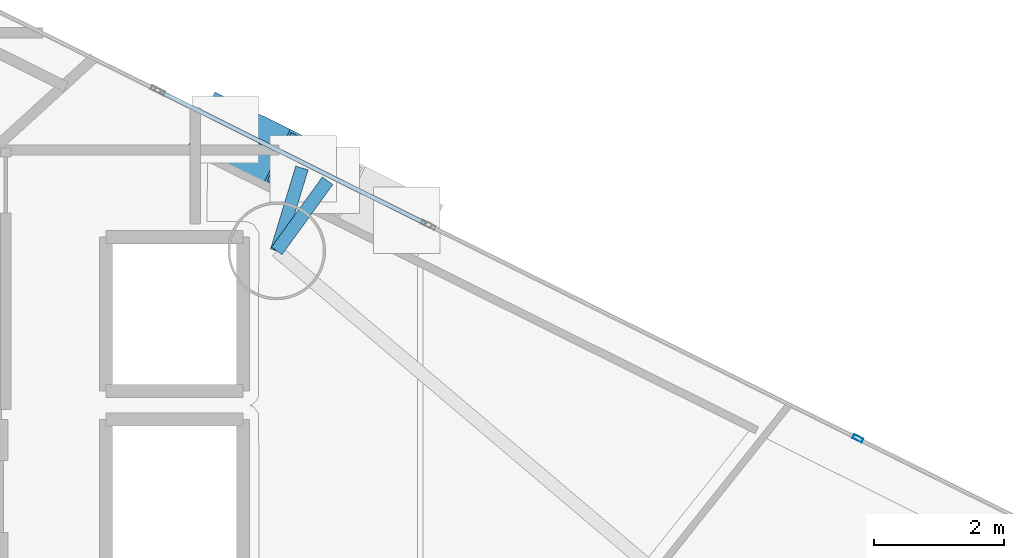
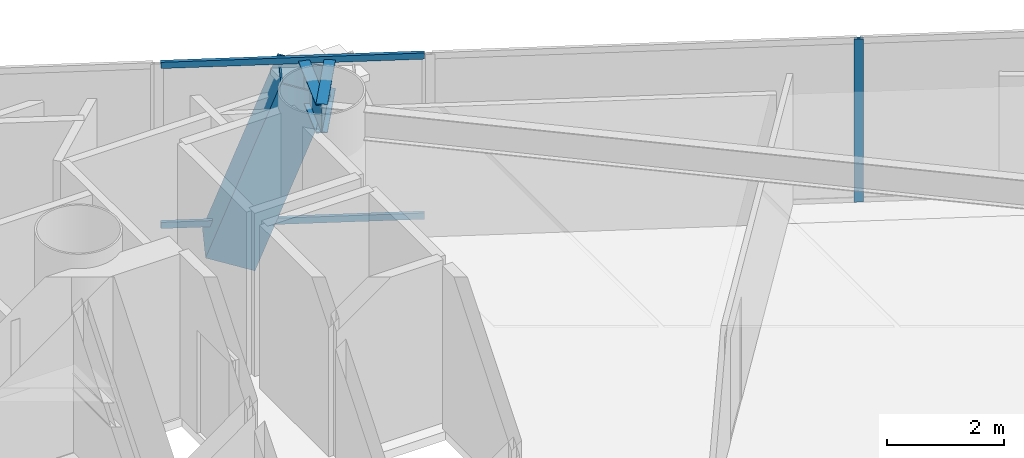
# One storey, part 11 of 22: 4 members, 2 beams, 2 elements without a shape of their own.
"""IFC4 building model written with IfcOpenShell, lengths in metres."""

from ifc_helpers import new_model, si_unit, direction, frame, origin, origin_2d, place, context, subcontext, project, spatial, hollow_rectangle, i_section, extrude, material, layer, layer_set, material_profile, profile_set, type_object, element, aggregate, save


model = new_model("IFC4")

# Units and contexts
model_context = context("Model", 3, precision=1e-05, world=origin(), true_north=direction((0.0, 1.0)))
body_context = subcontext(model_context, "Body", "Model", "MODEL_VIEW")
ifc_project = project(units=[si_unit("LENGTHUNIT", "METRE"), si_unit("AREAUNIT", "SQUARE_METRE"), si_unit("VOLUMEUNIT", "CUBIC_METRE"), si_unit("PLANEANGLEUNIT", "RADIAN"), si_unit("MASSUNIT", "GRAM", prefix="KILO")], contexts=[model_context])

# Site, building, storey
site_placement = place(None, origin())
site = spatial("IfcSite", under=ifc_project, at=site_placement, CompositionType="ELEMENT")
building_placement = place(site_placement, origin())
building = spatial("IfcBuilding", under=site, at=building_placement, Name="Qianvela Tower", CompositionType="ELEMENT")
storey_placement = place(building_placement, frame((0.0, 0.0, 134.800048828125)))
storey = spatial("IfcBuildingStorey", under=building, at=storey_placement, Name="L34", CompositionType="ELEMENT", Elevation=134.800048828125)

# Beams
ifc_material_1 = material(Name="Steel Q355B", Category="steel")
ifc_material_profile_1 = material_profile(ifc_material_1, i_section(OverallWidth=0.199951171875, OverallDepth=0.60009765625, WebThickness=0.010986328125, FlangeThickness=0.01708984375, at=origin_2d()), Name="HN600x200x11x17")
ifc_profile_set_1 = profile_set([ifc_material_profile_1], Name="Steel Q355B")
beam_type = type_object("IfcBeamType", Name="BM-HN600-GIRD", PredefinedType="BEAM", material=ifc_profile_set_1)
for number, where, z_axis, x_axis, name in (
    (1, (44.071044921875, 35.070068359375, 3.097900390625), (0.587003653661, 0.809584282573, 0.0), (-0.809584282573, 0.587003653661, 0.0), "L34 Mega-Brace Column Tie Bracket F1-1"),
    (2, (44.071044921875, 35.070068359375, 3.097900390625), (0.29084761814, 0.956769388632, 0.0), (-0.956769388632, 0.29084761814, 0.0), "L34 Mega-Brace Column Tie Bracket F1-2"),
):
    element("IfcBeam", number, at=place(storey_placement, frame(where, z_axis=z_axis, x_axis=x_axis)), inside=storey, type_object=beam_type, Name=name, PredefinedType="BEAM", context=body_context, shape_type="SweptSolid", body=[
        extrude(i_section(OverallWidth=0.199951171875, OverallDepth=0.60009765625, WebThickness=0.010986328125, FlangeThickness=0.01708984375, at=origin_2d()), origin(), (0.0, 0.0, 1.0), 1.33056640625),
    ])

# Curtain wall, members
ifc_material_2 = material(Name="Anodised Architectural Aluminium and Insulated Spandrel Panel", Category="aluminium")
ifc_layer_1 = layer(ifc_material_2, 0.179931640625)
ifc_layer_set_1 = layer_set([ifc_layer_1], Name="Anodised Architectural Aluminium and Insulated Spandrel Panel")
curtain_wall_type_1 = type_object("IfcCurtainWallType", Name="CW-BRACEBAY", PredefinedType="USERDEFINED", material=ifc_layer_set_1)
curtain_wall_1_placement = place(storey_placement, origin())
curtain_wall_1 = element("IfcCurtainWall", 3, at=curtain_wall_1_placement, inside=storey, type_object=curtain_wall_type_1, Name="L34 CW-BRACEBAY Curtain Wall 02B", ObjectType="CURTAIN_WALL_SYSTEM", PredefinedType="USERDEFINED")
ifc_material_3 = material(Name="Anodised Architectural Aluminium 6063-T6", Category="aluminium")
ifc_material_profile_2 = material_profile(ifc_material_3, hollow_rectangle(XDim=0.06494140625, YDim=0.1298828125, WallThickness=0.00439453125, at=origin_2d()), Name="ALU-TRAN-65x130")
ifc_profile_set_2 = profile_set([ifc_material_profile_2], Name="Anodised Architectural Aluminium 6063-T6")
member_type_1 = type_object("IfcMemberType", Name="CW-BRACEBAY-TRAN", PredefinedType="USERDEFINED", material=ifc_profile_set_2)
member_1_placement = place(storey_placement, frame((46.3408203125, 35.496337890625, 0.032470703125), z_axis=(-0.895453397633, 0.445155268045, 0.0), x_axis=(-0.445155268045, -0.895453397633, 0.0)))
member_1 = element("IfcMember", 4, at=member_1_placement, type_object=member_type_1, Name="CW-9 transom 1.1", ObjectType="TRANSOM", PredefinedType="USERDEFINED", context=body_context, shape_type="SweptSolid", body=[
    extrude(hollow_rectangle(XDim=0.06494140625, YDim=0.1298828125, WallThickness=0.00439453125, at=origin_2d()), origin(), (0.0, 0.0, 1.0), 4.509765625),
])
member_2_placement = place(storey_placement, frame((46.3408203125, 35.496337890625, 3.367431640625), z_axis=(-0.895453397633, 0.445155268045, 0.0), x_axis=(-0.445155268045, -0.895453397633, 0.0)))
member_2 = element("IfcMember", 5, at=member_2_placement, type_object=member_type_1, Name="CW-9 transom 1.2", ObjectType="TRANSOM", PredefinedType="USERDEFINED", context=body_context, shape_type="SweptSolid", body=[
    extrude(hollow_rectangle(XDim=0.06494140625, YDim=0.1298828125, WallThickness=0.00439453125, at=origin_2d()), origin(), (0.0, 0.0, 1.0), 4.509765625),
])
aggregate(curtain_wall_1, [member_1, member_2])

# Curtain wall, member
ifc_material_4 = material(Name="Anodised Architectural Aluminium and Low-E Glass", Category="aluminium")
ifc_layer_2 = layer(ifc_material_4, 0.169921875)
ifc_layer_set_2 = layer_set([ifc_layer_2], Name="Anodised Architectural Aluminium and Low-E Glass")
curtain_wall_type_2 = type_object("IfcCurtainWallType", Name="CW-COLIV-Z34", PredefinedType="USERDEFINED", material=ifc_layer_set_2)
curtain_wall_2_placement = place(storey_placement, origin())
curtain_wall_2 = element("IfcCurtainWall", 6, at=curtain_wall_2_placement, inside=storey, type_object=curtain_wall_type_2, Name="L34 CW-COLIV-Z34 Curtain Wall 02A", ObjectType="CURTAIN_WALL_SYSTEM", PredefinedType="USERDEFINED")
ifc_material_5 = material(Name="Anodised Architectural Aluminium 6063-T6", Category="aluminium")
ifc_material_profile_3 = material_profile(ifc_material_5, hollow_rectangle(XDim=0.06494140625, YDim=0.159912109375, WallThickness=0.0048828125, at=origin_2d()), Name="ALU-MULL-65x160")
ifc_profile_set_3 = profile_set([ifc_material_profile_3], Name="Anodised Architectural Aluminium 6063-T6")
member_type_2 = type_object("IfcMemberType", Name="CW-COLIV-Z34-MULL", PredefinedType="MULLION", material=ifc_profile_set_3)
member_3_placement = place(storey_placement, frame((52.98974609375, 32.191162109375, 0.0), z_axis=(0.0, 0.0, 1.0), x_axis=(-0.445149904419, -0.895456064023, 0.0)))
member_3 = element("IfcMember", 7, at=member_3_placement, type_object=member_type_2, Name="CW-4 mullion 2", PredefinedType="MULLION", context=body_context, shape_type="SweptSolid", body=[
    extrude(hollow_rectangle(XDim=0.06494140625, YDim=0.159912109375, WallThickness=0.0048828125, at=origin_2d()), origin(), (0.0, 0.0, 1.0), 3.39990234375),
])
aggregate(curtain_wall_2, [member_3])

# Member
ifc_material_6 = material(Name="Steel Q420GJC", Category="steel")
ifc_material_profile_4 = material_profile(ifc_material_6, hollow_rectangle(XDim=0.89990234375, YDim=0.89990234375, WallThickness=0.035888671875, at=origin_2d()), Name="MBOX-900x900x36")
ifc_profile_set_4 = profile_set([ifc_material_profile_4], Name="Steel Q420GJC")
member_type_3 = type_object("IfcMemberType", Name="MBR-MBRACE-900", PredefinedType="BRACE", material=ifc_profile_set_4)
member_4_placement = place(storey_placement, frame((43.302978515625, 36.917236328125, -0.48193359375), z_axis=(0.303545114954, -0.150906385621, 0.940790957634), x_axis=(0.445168287474, 0.895446925187, 0.0)))
element("IfcMember", 8, at=member_4_placement, inside=storey, type_object=member_type_3, Name="L34 Tier 5 Exterior Mega-Brace F1B", PredefinedType="BRACE", context=body_context, shape_type="SweptSolid", body=[
    extrude(hollow_rectangle(XDim=0.89990234375, YDim=0.89990234375, WallThickness=0.035888671875, at=origin_2d()), origin(), (0.0, 0.0, 1.0), 3.80517578125),
])

save(model, "model.ifc")
